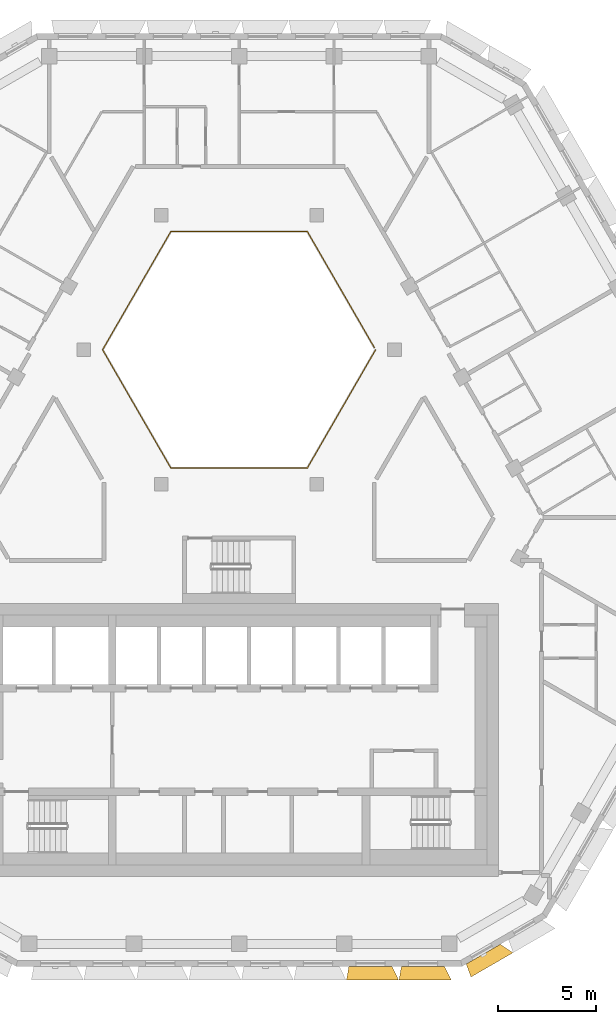
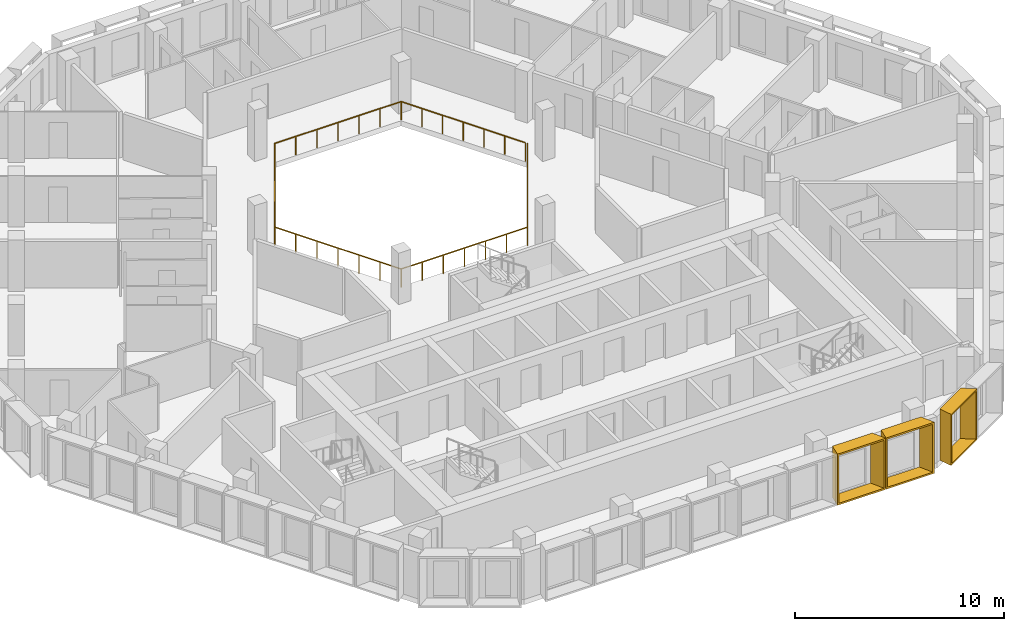
# One storey, part 16 of 18: 3 shading devices, 1 railing.
"""IFC4 building model written with IfcOpenShell, lengths in metres."""

from ifc_helpers import new_model, entity, si_unit, direction, frame, origin, origin_2d, place, context, subcontext, project, spatial, rectangle, extrude, source, transform, mapped, material, type_object, type_shapes, element, save


model = new_model("IFC4")

# Units and contexts
model_context = context("Model", 3, precision=1e-05, world=origin(), true_north=direction((0.0, 1.0)))
body_context = subcontext(model_context, "Body", "Model", "MODEL_VIEW")
ifc_project = project(units=[si_unit("LENGTHUNIT", "METRE"), si_unit("AREAUNIT", "SQUARE_METRE"), si_unit("VOLUMEUNIT", "CUBIC_METRE"), si_unit("PLANEANGLEUNIT", "RADIAN"), si_unit("MASSUNIT", "GRAM", prefix="KILO")], contexts=[model_context])

# Site, building, storey
site_placement = place(None, origin())
site = spatial("IfcSite", under=ifc_project, at=site_placement, CompositionType="ELEMENT")
building_placement = place(site_placement, origin())
building = spatial("IfcBuilding", under=site, at=building_placement, Name="Beryl Residences", CompositionType="ELEMENT")
storey_placement = place(building_placement, frame((0.0, 0.0, 190.199951171875)))
storey = spatial("IfcBuildingStorey", under=building, at=storey_placement, Name="L58", CompositionType="ELEMENT", Elevation=190.199951171875)

# Railing
ifc_material_1 = material(Name="Stainless steel balustrade with glass infill", Category="steel")
railing_type = type_object("IfcRailingType", Name="EG1 edge guard 1100 mm", PredefinedType="GUARDRAIL", material=ifc_material_1)
railing_placement = place(storey_placement, frame((6.9970703125, 8.0, 0.0)))
element("IfcRailing", 1, at=railing_placement, inside=storey, type_object=railing_type, Name="L58 atrium guard", PredefinedType="GUARDRAIL", context=body_context, shape_type="SweptSolid", body=[
    extrude(rectangle(XDim=0.048095703125, YDim=0.048095703125, at=origin_2d()), frame((0.0, 0.0, 1.076171875), z_axis=(-0.499921796684, -0.866070549782, 0.0), x_axis=(0.866070549782, -0.499921796684, 0.0)), (0.0, 0.0, 1.0), 6.9970703125),
    extrude(rectangle(XDim=0.048095703125, YDim=0.048095703125, at=origin_2d()), frame((-3.498046875, -6.06005859375, 1.076171875), z_axis=(-1.0, 0.0, 0.0), x_axis=(0.0, -1.0, 0.0)), (0.0, 0.0, 1.0), 6.998046875),
    extrude(rectangle(XDim=0.048095703125, YDim=0.048095703125, at=origin_2d()), frame((-10.49609375, -6.06005859375, 1.076171875), z_axis=(-0.499921796684, 0.866070549782, 0.0), x_axis=(-0.866070549782, -0.499921796684, 0.0)), (0.0, 0.0, 1.0), 6.9970703125),
    extrude(rectangle(XDim=0.048095703125, YDim=0.048095703125, at=origin_2d()), frame((-13.994140625, 0.0, 1.076171875), z_axis=(0.499921796684, 0.866070549782, 0.0), x_axis=(-0.866070549782, 0.499921796684, 0.0)), (0.0, 0.0, 1.0), 6.9970703125),
    extrude(rectangle(XDim=0.048095703125, YDim=0.048095703125, at=origin_2d()), frame((-10.49609375, 6.06005859375, 1.076171875), z_axis=(1.0, 0.0, 0.0), x_axis=(0.0, 1.0, 0.0)), (0.0, 0.0, 1.0), 6.998046875),
    extrude(rectangle(XDim=0.048095703125, YDim=0.048095703125, at=origin_2d()), frame((-3.498046875, 6.06005859375, 1.076171875), z_axis=(0.499919131929, -0.866072087953, 0.0), x_axis=(0.866072087953, 0.499919131929, 0.0)), (0.0, 0.0, 1.0), 6.877197265625),
    extrude(rectangle(XDim=0.0419921875, YDim=0.0419921875, at=origin_2d()), origin(), (0.0, 0.0, 1.0), 1.052001953125),
    extrude(rectangle(XDim=0.0419921875, YDim=0.0419921875, at=origin_2d()), frame((-0.5830078125, -1.010009765625, 0.0)), (0.0, 0.0, 1.0), 1.052001953125),
    extrude(rectangle(XDim=0.0419921875, YDim=0.0419921875, at=origin_2d()), frame((-1.166015625, -2.02001953125, 0.0)), (0.0, 0.0, 1.0), 1.052001953125),
    extrude(rectangle(XDim=0.0419921875, YDim=0.0419921875, at=origin_2d()), frame((-1.7490234375, -3.030029296875, 0.0)), (0.0, 0.0, 1.0), 1.052001953125),
    extrude(rectangle(XDim=0.0419921875, YDim=0.0419921875, at=origin_2d()), frame((-2.33203125, -4.0400390625, 0.0)), (0.0, 0.0, 1.0), 1.052001953125),
    extrude(rectangle(XDim=0.0419921875, YDim=0.0419921875, at=origin_2d()), frame((-2.9150390625, -5.050048828125, 0.0)), (0.0, 0.0, 1.0), 1.052001953125),
    extrude(rectangle(XDim=0.0419921875, YDim=0.0419921875, at=origin_2d()), frame((-3.498046875, -6.06005859375, 0.0)), (0.0, 0.0, 1.0), 1.052001953125),
    extrude(rectangle(XDim=0.0419921875, YDim=0.0419921875, at=origin_2d()), frame((-4.664306640625, -6.06005859375, 0.0)), (0.0, 0.0, 1.0), 1.052001953125),
    extrude(rectangle(XDim=0.0419921875, YDim=0.0419921875, at=origin_2d()), frame((-5.830810546875, -6.06005859375, 0.0)), (0.0, 0.0, 1.0), 1.052001953125),
    extrude(rectangle(XDim=0.0419921875, YDim=0.0419921875, at=origin_2d()), frame((-6.9970703125, -6.06005859375, 0.0)), (0.0, 0.0, 1.0), 1.052001953125),
    extrude(rectangle(XDim=0.0419921875, YDim=0.0419921875, at=origin_2d()), frame((-8.163330078125, -6.06005859375, 0.0)), (0.0, 0.0, 1.0), 1.052001953125),
    extrude(rectangle(XDim=0.0419921875, YDim=0.0419921875, at=origin_2d()), frame((-9.329833984375, -6.06005859375, 0.0)), (0.0, 0.0, 1.0), 1.052001953125),
    extrude(rectangle(XDim=0.0419921875, YDim=0.0419921875, at=origin_2d()), frame((-10.49609375, -6.06005859375, 0.0)), (0.0, 0.0, 1.0), 1.052001953125),
    extrude(rectangle(XDim=0.0419921875, YDim=0.0419921875, at=origin_2d()), frame((-11.0791015625, -5.050048828125, 0.0)), (0.0, 0.0, 1.0), 1.052001953125),
    extrude(rectangle(XDim=0.0419921875, YDim=0.0419921875, at=origin_2d()), frame((-11.662109375, -4.0400390625, 0.0)), (0.0, 0.0, 1.0), 1.052001953125),
    extrude(rectangle(XDim=0.0419921875, YDim=0.0419921875, at=origin_2d()), frame((-12.2451171875, -3.030029296875, 0.0)), (0.0, 0.0, 1.0), 1.052001953125),
    extrude(rectangle(XDim=0.0419921875, YDim=0.0419921875, at=origin_2d()), frame((-12.828125, -2.02001953125, 0.0)), (0.0, 0.0, 1.0), 1.052001953125),
    extrude(rectangle(XDim=0.0419921875, YDim=0.0419921875, at=origin_2d()), frame((-13.4111328125, -1.010009765625, 0.0)), (0.0, 0.0, 1.0), 1.052001953125),
    extrude(rectangle(XDim=0.0419921875, YDim=0.0419921875, at=origin_2d()), frame((-13.994140625, 0.0, 0.0)), (0.0, 0.0, 1.0), 1.052001953125),
    extrude(rectangle(XDim=0.0419921875, YDim=0.0419921875, at=origin_2d()), frame((-13.4111328125, 1.010009765625, 0.0)), (0.0, 0.0, 1.0), 1.052001953125),
    extrude(rectangle(XDim=0.0419921875, YDim=0.0419921875, at=origin_2d()), frame((-12.828125, 2.02001953125, 0.0)), (0.0, 0.0, 1.0), 1.052001953125),
    extrude(rectangle(XDim=0.0419921875, YDim=0.0419921875, at=origin_2d()), frame((-12.2451171875, 3.030029296875, 0.0)), (0.0, 0.0, 1.0), 1.052001953125),
    extrude(rectangle(XDim=0.0419921875, YDim=0.0419921875, at=origin_2d()), frame((-11.662109375, 4.0400390625, 0.0)), (0.0, 0.0, 1.0), 1.052001953125),
    extrude(rectangle(XDim=0.0419921875, YDim=0.0419921875, at=origin_2d()), frame((-11.0791015625, 5.050048828125, 0.0)), (0.0, 0.0, 1.0), 1.052001953125),
    extrude(rectangle(XDim=0.0419921875, YDim=0.0419921875, at=origin_2d()), frame((-10.49609375, 6.06005859375, 0.0)), (0.0, 0.0, 1.0), 1.052001953125),
    extrude(rectangle(XDim=0.0419921875, YDim=0.0419921875, at=origin_2d()), frame((-9.329833984375, 6.06005859375, 0.0)), (0.0, 0.0, 1.0), 1.052001953125),
    extrude(rectangle(XDim=0.0419921875, YDim=0.0419921875, at=origin_2d()), frame((-8.163330078125, 6.06005859375, 0.0)), (0.0, 0.0, 1.0), 1.052001953125),
    extrude(rectangle(XDim=0.0419921875, YDim=0.0419921875, at=origin_2d()), frame((-6.9970703125, 6.06005859375, 0.0)), (0.0, 0.0, 1.0), 1.052001953125),
    extrude(rectangle(XDim=0.0419921875, YDim=0.0419921875, at=origin_2d()), frame((-5.830810546875, 6.06005859375, 0.0)), (0.0, 0.0, 1.0), 1.052001953125),
    extrude(rectangle(XDim=0.0419921875, YDim=0.0419921875, at=origin_2d()), frame((-4.664306640625, 6.06005859375, 0.0)), (0.0, 0.0, 1.0), 1.052001953125),
    extrude(rectangle(XDim=0.0419921875, YDim=0.0419921875, at=origin_2d()), frame((-3.498046875, 6.06005859375, 0.0)), (0.0, 0.0, 1.0), 1.052001953125),
    extrude(rectangle(XDim=0.0419921875, YDim=0.0419921875, at=origin_2d()), frame((-2.925048828125, 5.0673828125, 0.0)), (0.0, 0.0, 1.0), 1.052001953125),
    extrude(rectangle(XDim=0.0419921875, YDim=0.0419921875, at=origin_2d()), frame((-2.35205078125, 4.07470703125, 0.0)), (0.0, 0.0, 1.0), 1.052001953125),
    extrude(rectangle(XDim=0.0419921875, YDim=0.0419921875, at=origin_2d()), frame((-1.779052734375, 3.08203125, 0.0)), (0.0, 0.0, 1.0), 1.052001953125),
    extrude(rectangle(XDim=0.0419921875, YDim=0.0419921875, at=origin_2d()), frame((-1.2060546875, 2.08935546875, 0.0)), (0.0, 0.0, 1.0), 1.052001953125),
    extrude(rectangle(XDim=0.0419921875, YDim=0.0419921875, at=origin_2d()), frame((-0.633056640625, 1.0966796875, 0.0)), (0.0, 0.0, 1.0), 1.052001953125),
    extrude(rectangle(XDim=0.0419921875, YDim=0.0419921875, at=origin_2d()), frame((-0.06005859375, 0.10400390625, 0.0)), (0.0, 0.0, 1.0), 1.052001953125),
])

# Shading devices
ifc_material_2 = material(Name="Aluminium pale anodised", Category="aluminium")
shading_device_type_1 = type_object("IfcShadingDeviceType", Name="FR250-70C OUTER SKIN frame 700 mm deep, splay 10/26 deg, 2500 x 3000 mm cell", PredefinedType="USERDEFINED", material=ifc_material_2)
cartesian_point_1 = entity("IfcCartesianPoint", [-1.007568359375, 0.0])
cartesian_point_2 = entity("IfcCartesianPoint", [-0.92626953125, 0.10009765625])
cartesian_point_3 = entity("IfcCartesianPoint", [-1.130859375, 0.0])
cartesian_point_4 = entity("IfcCartesianPoint", [-1.0498046875, 0.10009765625])
shared_shape_1 = source(origin(), body_context, "Body", "SweptSolid", [
    entity("IfcExtrudedAreaSolidTapered", entity("IfcArbitraryProfileDefWithVoids", "AREA", None, entity("IfcPolyline", [cartesian_point_1, entity("IfcCartesianPoint", [1.007568359375, 0.0]), entity("IfcCartesianPoint", [1.007568359375, 3.0]), entity("IfcCartesianPoint", [-1.007568359375, 3.0]), cartesian_point_1]), [entity("IfcPolyline", [cartesian_point_2, entity("IfcCartesianPoint", [0.91845703125, 0.10009765625]), entity("IfcCartesianPoint", [0.91845703125, 2.89990234375]), entity("IfcCartesianPoint", [-0.92626953125, 2.89990234375]), cartesian_point_2])]), entity("IfcAxis2Placement3D", entity("IfcCartesianPoint", [0.0, 0.0, 0.0]), entity("IfcDirection", [0.0, 1.0, 0.0]), entity("IfcDirection", [-1.0, 0.0, 0.0])), entity("IfcDirection", [0.0, 0.0, 1.0]), 0.699951171875, entity("IfcArbitraryProfileDefWithVoids", "AREA", None, entity("IfcPolyline", [cartesian_point_3, entity("IfcCartesianPoint", [1.348876953125, 0.0]), entity("IfcCartesianPoint", [1.348876953125, 3.0]), entity("IfcCartesianPoint", [-1.130859375, 3.0]), cartesian_point_3]), [entity("IfcPolyline", [cartesian_point_4, entity("IfcCartesianPoint", [1.260009765625, 0.10009765625]), entity("IfcCartesianPoint", [1.260009765625, 2.89990234375]), entity("IfcCartesianPoint", [-1.0498046875, 2.89990234375]), cartesian_point_4])])),
])
type_shapes(shading_device_type_1, [shared_shape_1])
shading_device_placement = place(storey_placement, frame((12.513916015625, -22.97509765625, 0.0), z_axis=(0.0, 0.0, 1.0), x_axis=(-0.866025403784, -0.5, 0.0)))
element("IfcShadingDevice", 2, at=shading_device_placement, inside=storey, type_object=shading_device_type_1, Name="FR250-70C frame L58 S-SE 1", ObjectType="OUTER SKIN", PredefinedType="USERDEFINED", context=body_context, shape_type="MappedRepresentation", body=[
    mapped(shared_shape_1, transform((0.0, 0.0, 0.0))),
])
ifc_material_3 = material(Name="Aluminium pale anodised", Category="aluminium")
shading_device_type_2 = type_object("IfcShadingDeviceType", Name="FR269-70C OUTER SKIN frame 700 mm deep, splay 10/26 deg, 2690 x 3000 mm cell", PredefinedType="USERDEFINED", material=ifc_material_3)
cartesian_point_5 = entity("IfcCartesianPoint", [-1.1025390625, 0.0])
cartesian_point_6 = entity("IfcCartesianPoint", [-1.021240234375, 0.10009765625])
cartesian_point_7 = entity("IfcCartesianPoint", [-1.225830078125, 0.0])
cartesian_point_8 = entity("IfcCartesianPoint", [-1.144775390625, 0.10009765625])
shared_shape_2 = source(origin(), body_context, "Body", "SweptSolid", [
    entity("IfcExtrudedAreaSolidTapered", entity("IfcArbitraryProfileDefWithVoids", "AREA", None, entity("IfcPolyline", [cartesian_point_5, entity("IfcCartesianPoint", [1.1025390625, 0.0]), entity("IfcCartesianPoint", [1.1025390625, 3.0]), entity("IfcCartesianPoint", [-1.1025390625, 3.0]), cartesian_point_5]), [entity("IfcPolyline", [cartesian_point_6, entity("IfcCartesianPoint", [1.013427734375, 0.10009765625]), entity("IfcCartesianPoint", [1.013427734375, 2.89990234375]), entity("IfcCartesianPoint", [-1.021240234375, 2.89990234375]), cartesian_point_6])]), entity("IfcAxis2Placement3D", entity("IfcCartesianPoint", [0.0, 0.0, 0.0]), entity("IfcDirection", [0.0, 1.0, 0.0]), entity("IfcDirection", [-1.0, 0.0, 0.0])), entity("IfcDirection", [0.0, 0.0, 1.0]), 0.699951171875, entity("IfcArbitraryProfileDefWithVoids", "AREA", None, entity("IfcPolyline", [cartesian_point_7, entity("IfcCartesianPoint", [1.44384765625, 0.0]), entity("IfcCartesianPoint", [1.44384765625, 3.0]), entity("IfcCartesianPoint", [-1.225830078125, 3.0]), cartesian_point_7]), [entity("IfcPolyline", [cartesian_point_8, entity("IfcCartesianPoint", [1.35498046875, 0.10009765625]), entity("IfcCartesianPoint", [1.35498046875, 2.89990234375]), entity("IfcCartesianPoint", [-1.144775390625, 2.89990234375]), cartesian_point_8])])),
])
type_shapes(shading_device_type_2, [shared_shape_2])
for number, where, z_axis, x_axis, name in (
    (3, (6.73095703125, -23.60009765625, 0.0), (0.0, 0.0, 1.0), (-1.0, 0.0, 0.0), "FR269-70C frame L58 S 7"),
    (4, (9.423095703125, -23.60009765625, 0.0), (0.0, 0.0, 1.0), (-1.0, 0.0, 0.0), "FR269-70C frame L58 S 8"),
):
    element("IfcShadingDevice", number, at=place(storey_placement, frame(where, z_axis=z_axis, x_axis=x_axis)), inside=storey, type_object=shading_device_type_2, Name=name, ObjectType="OUTER SKIN", PredefinedType="USERDEFINED", context=body_context, shape_type="MappedRepresentation", body=[
        mapped(shared_shape_2, transform((0.0, 0.0, 0.0))),
    ])

save(model, "model.ifc")
